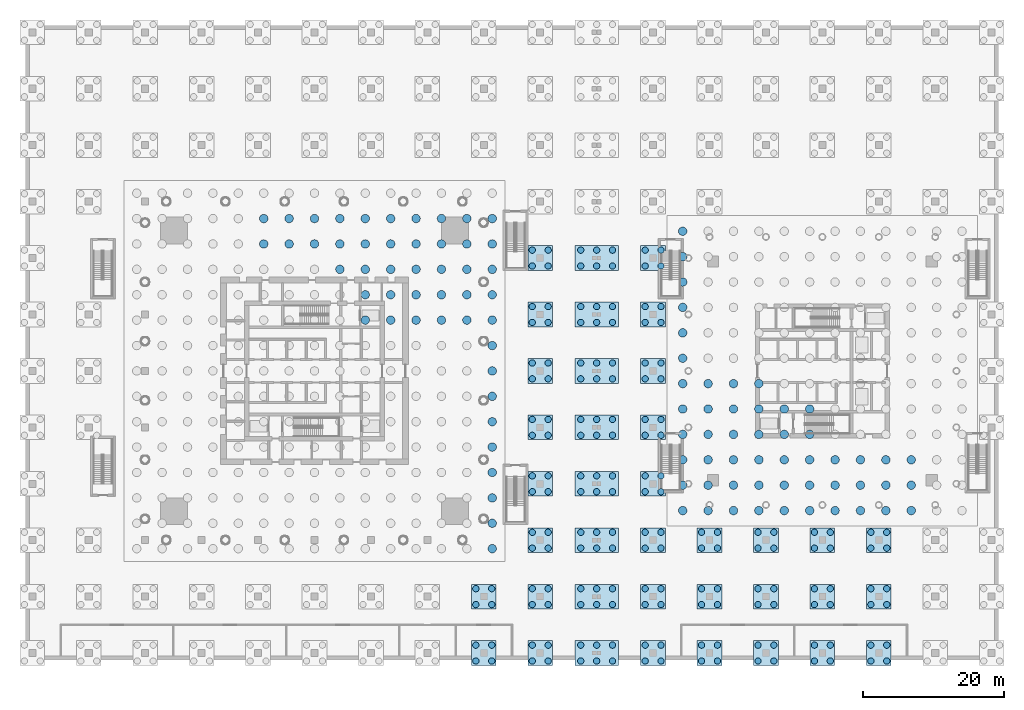
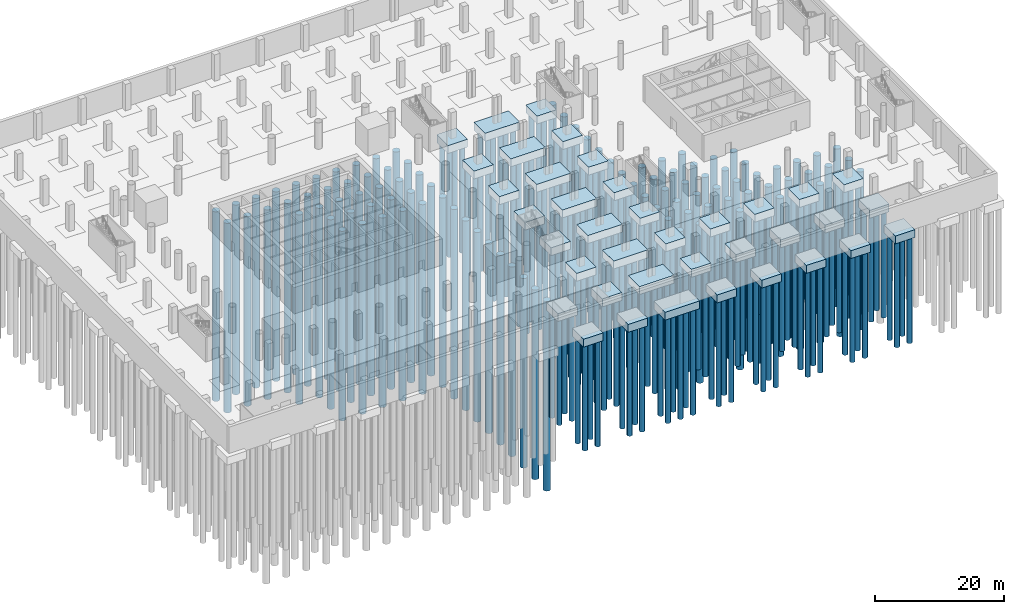
# One storey, part 2 of 24: 268 piles, 38 footings.
"""IFC4 building model written with IfcOpenShell, lengths in metres."""

from ifc_helpers import new_model, si_unit, direction, frame, origin, origin_2d, place, context, subcontext, project, spatial, rectangle, circle, extrude, material, layer, layer_set, type_object, element, save


model = new_model("IFC4")

# Units and contexts
model_context = context("Model", 3, precision=1e-05, world=origin(), true_north=direction((0.0, 1.0)))
body_context = subcontext(model_context, "Body", "Model", "MODEL_VIEW")
ifc_project = project(units=[si_unit("LENGTHUNIT", "METRE"), si_unit("AREAUNIT", "SQUARE_METRE"), si_unit("VOLUMEUNIT", "CUBIC_METRE"), si_unit("PLANEANGLEUNIT", "RADIAN"), si_unit("MASSUNIT", "GRAM", prefix="KILO")], contexts=[model_context])

# Site, building, storey
site_placement = place(None, origin())
site = spatial("IfcSite", under=ifc_project, at=site_placement, CompositionType="ELEMENT")
building_placement = place(site_placement, origin())
building = spatial("IfcBuilding", under=site, at=building_placement, Name="Ostroluk Exchange", CompositionType="ELEMENT")
storey_placement = place(building_placement, frame((0.0, 0.0, -10.0)))
storey = spatial("IfcBuildingStorey", under=building, at=storey_placement, Name="B2", CompositionType="ELEMENT", Elevation=-10.0)

# Piles
ifc_material_1 = material(Name="Concrete C30/37", Category="concrete")
pile_type_1 = type_object("IfcPileType", Name="Bored pile 1200 x 30 m", PredefinedType="BORED", material=ifc_material_1)
for number, where, z_axis, x_axis, name in (
    (1, (97.199951171875, 26.199951171875, -3.0), (0.0, 0.0, -1.0), (1.0, 0.0, 0.0), "Hotel tower raft pile 1.1"),
    (2, (97.199951171875, 29.800048828125, -3.0), (0.0, 0.0, -1.0), (1.0, 0.0, 0.0), "Hotel tower raft pile 1.2"),
    (3, (97.199951171875, 33.39990234375, -3.0), (0.0, 0.0, -1.0), (1.0, 0.0, 0.0), "Hotel tower raft pile 1.3"),
    (4, (97.199951171875, 37.0, -3.0), (0.0, 0.0, -1.0), (1.0, 0.0, 0.0), "Hotel tower raft pile 1.4"),
    (5, (97.199951171875, 40.60009765625, -3.0), (0.0, 0.0, -1.0), (1.0, 0.0, 0.0), "Hotel tower raft pile 1.5"),
    (6, (97.199951171875, 44.199951171875, -3.0), (0.0, 0.0, -1.0), (1.0, 0.0, 0.0), "Hotel tower raft pile 1.6"),
    (7, (97.199951171875, 47.800048828125, -3.0), (0.0, 0.0, -1.0), (1.0, 0.0, 0.0), "Hotel tower raft pile 1.7"),
    (8, (97.199951171875, 51.39990234375, -3.0), (0.0, 0.0, -1.0), (1.0, 0.0, 0.0), "Hotel tower raft pile 1.8"),
    (9, (97.199951171875, 55.0, -3.0), (0.0, 0.0, -1.0), (1.0, 0.0, 0.0), "Hotel tower raft pile 1.9"),
    (10, (97.199951171875, 58.60009765625, -3.0), (0.0, 0.0, -1.0), (1.0, 0.0, 0.0), "Hotel tower raft pile 1.10"),
    (11, (97.199951171875, 62.199951171875, -3.0), (0.0, 0.0, -1.0), (1.0, 0.0, 0.0), "Hotel tower raft pile 1.11"),
    (12, (97.199951171875, 65.800048828125, -3.0), (0.0, 0.0, -1.0), (1.0, 0.0, 0.0), "Hotel tower raft pile 1.12"),
    (13, (100.800048828125, 26.199951171875, -3.0), (0.0, 0.0, -1.0), (1.0, 0.0, 0.0), "Hotel tower raft pile 2.1"),
    (14, (100.800048828125, 29.800048828125, -3.0), (0.0, 0.0, -1.0), (1.0, 0.0, 0.0), "Hotel tower raft pile 2.2"),
    (15, (100.800048828125, 33.39990234375, -3.0), (0.0, 0.0, -1.0), (1.0, 0.0, 0.0), "Hotel tower raft pile 2.3"),
    (16, (100.800048828125, 37.0, -3.0), (0.0, 0.0, -1.0), (1.0, 0.0, 0.0), "Hotel tower raft pile 2.4"),
    (17, (100.800048828125, 40.60009765625, -3.0), (0.0, 0.0, -1.0), (1.0, 0.0, 0.0), "Hotel tower raft pile 2.5"),
    (18, (100.800048828125, 44.199951171875, -3.0), (0.0, 0.0, -1.0), (1.0, 0.0, 0.0), "Hotel tower raft pile 2.6"),
    (19, (104.39990234375, 26.199951171875, -3.0), (0.0, 0.0, -1.0), (1.0, 0.0, 0.0), "Hotel tower raft pile 3.1"),
    (20, (104.39990234375, 29.800048828125, -3.0), (0.0, 0.0, -1.0), (1.0, 0.0, 0.0), "Hotel tower raft pile 3.2"),
    (21, (104.39990234375, 33.39990234375, -3.0), (0.0, 0.0, -1.0), (1.0, 0.0, 0.0), "Hotel tower raft pile 3.3"),
    (22, (104.39990234375, 37.0, -3.0), (0.0, 0.0, -1.0), (1.0, 0.0, 0.0), "Hotel tower raft pile 3.4"),
    (23, (104.39990234375, 40.60009765625, -3.0), (0.0, 0.0, -1.0), (1.0, 0.0, 0.0), "Hotel tower raft pile 3.5"),
    (24, (104.39990234375, 44.199951171875, -3.0), (0.0, 0.0, -1.0), (1.0, 0.0, 0.0), "Hotel tower raft pile 3.6"),
    (25, (108.0, 26.199951171875, -3.0), (0.0, 0.0, -1.0), (1.0, 0.0, 0.0), "Hotel tower raft pile 4.1"),
    (26, (108.0, 29.800048828125, -3.0), (0.0, 0.0, -1.0), (1.0, 0.0, 0.0), "Hotel tower raft pile 4.2"),
    (27, (108.0, 33.39990234375, -3.0), (0.0, 0.0, -1.0), (1.0, 0.0, 0.0), "Hotel tower raft pile 4.3"),
    (28, (108.0, 37.0, -3.0), (0.0, 0.0, -1.0), (1.0, 0.0, 0.0), "Hotel tower raft pile 4.4"),
    (29, (108.0, 40.60009765625, -3.0), (0.0, 0.0, -1.0), (1.0, 0.0, 0.0), "Hotel tower raft pile 4.5"),
    (30, (108.0, 44.199951171875, -3.0), (0.0, 0.0, -1.0), (1.0, 0.0, 0.0), "Hotel tower raft pile 4.6"),
    (31, (111.60009765625, 26.199951171875, -3.0), (0.0, 0.0, -1.0), (1.0, 0.0, 0.0), "Hotel tower raft pile 5.1"),
    (32, (111.60009765625, 29.800048828125, -3.0), (0.0, 0.0, -1.0), (1.0, 0.0, 0.0), "Hotel tower raft pile 5.2"),
    (33, (111.60009765625, 33.39990234375, -3.0), (0.0, 0.0, -1.0), (1.0, 0.0, 0.0), "Hotel tower raft pile 5.3"),
    (34, (111.60009765625, 37.0, -3.0), (0.0, 0.0, -1.0), (1.0, 0.0, 0.0), "Hotel tower raft pile 5.4"),
    (35, (111.60009765625, 40.60009765625, -3.0), (0.0, 0.0, -1.0), (1.0, 0.0, 0.0), "Hotel tower raft pile 5.5"),
    (36, (115.199951171875, 26.199951171875, -3.0), (0.0, 0.0, -1.0), (1.0, 0.0, 0.0), "Hotel tower raft pile 6.1"),
    (37, (115.199951171875, 29.800048828125, -3.0), (0.0, 0.0, -1.0), (1.0, 0.0, 0.0), "Hotel tower raft pile 6.2"),
    (38, (115.199951171875, 33.39990234375, -3.0), (0.0, 0.0, -1.0), (1.0, 0.0, 0.0), "Hotel tower raft pile 6.3"),
    (39, (115.199951171875, 37.0, -3.0), (0.0, 0.0, -1.0), (1.0, 0.0, 0.0), "Hotel tower raft pile 6.4"),
    (40, (115.199951171875, 40.60009765625, -3.0), (0.0, 0.0, -1.0), (1.0, 0.0, 0.0), "Hotel tower raft pile 6.5"),
    (41, (118.800048828125, 26.199951171875, -3.0), (0.0, 0.0, -1.0), (1.0, 0.0, 0.0), "Hotel tower raft pile 7.1"),
    (42, (118.800048828125, 29.800048828125, -3.0), (0.0, 0.0, -1.0), (1.0, 0.0, 0.0), "Hotel tower raft pile 7.2"),
    (43, (118.800048828125, 33.39990234375, -3.0), (0.0, 0.0, -1.0), (1.0, 0.0, 0.0), "Hotel tower raft pile 7.3"),
    (44, (122.39990234375, 26.199951171875, -3.0), (0.0, 0.0, -1.0), (1.0, 0.0, 0.0), "Hotel tower raft pile 8.1"),
    (45, (122.39990234375, 29.800048828125, -3.0), (0.0, 0.0, -1.0), (1.0, 0.0, 0.0), "Hotel tower raft pile 8.2"),
    (46, (122.39990234375, 33.39990234375, -3.0), (0.0, 0.0, -1.0), (1.0, 0.0, 0.0), "Hotel tower raft pile 8.3"),
    (47, (126.0, 26.199951171875, -3.0), (0.0, 0.0, -1.0), (1.0, 0.0, 0.0), "Hotel tower raft pile 9.1"),
    (48, (126.0, 29.800048828125, -3.0), (0.0, 0.0, -1.0), (1.0, 0.0, 0.0), "Hotel tower raft pile 9.2"),
    (49, (126.0, 33.39990234375, -3.0), (0.0, 0.0, -1.0), (1.0, 0.0, 0.0), "Hotel tower raft pile 9.3"),
    (50, (129.60009765625, 26.199951171875, -3.0), (0.0, 0.0, -1.0), (1.0, 0.0, 0.0), "Hotel tower raft pile 10.1"),
    (51, (129.60009765625, 29.800048828125, -3.0), (0.0, 0.0, -1.0), (1.0, 0.0, 0.0), "Hotel tower raft pile 10.2"),
    (52, (129.60009765625, 33.39990234375, -3.0), (0.0, 0.0, -1.0), (1.0, 0.0, 0.0), "Hotel tower raft pile 10.3"),
):
    element("IfcPile", number, at=place(storey_placement, frame(where, z_axis=z_axis, x_axis=x_axis)), inside=storey, type_object=pile_type_1, Name=name, PredefinedType="BORED", context=body_context, shape_type="SweptSolid", body=[
        extrude(circle(Radius=0.60009765625, at=origin_2d()), origin(), (0.0, 0.0, 1.0), 30.0),
    ])
ifc_material_2 = material(Name="Concrete C30/37", Category="concrete")
pile_type_2 = type_object("IfcPileType", Name="Bored pile 1200 x 36 m", PredefinedType="BORED", material=ifc_material_2)
for number, where, z_axis, x_axis, name in (
    (53, (37.800048828125, 64.0, -3.5), (0.0, 0.0, -1.0), (1.0, 0.0, 0.0), "Office tower raft pile 6.13"),
    (54, (37.800048828125, 67.60009765625, -3.5), (0.0, 0.0, -1.0), (1.0, 0.0, 0.0), "Office tower raft pile 6.14"),
    (55, (41.39990234375, 64.0, -3.5), (0.0, 0.0, -1.0), (1.0, 0.0, 0.0), "Office tower raft pile 7.13"),
    (56, (41.39990234375, 67.60009765625, -3.5), (0.0, 0.0, -1.0), (1.0, 0.0, 0.0), "Office tower raft pile 7.14"),
    (57, (45.0, 64.0, -3.5), (0.0, 0.0, -1.0), (1.0, 0.0, 0.0), "Office tower raft pile 8.13"),
    (58, (45.0, 67.60009765625, -3.5), (0.0, 0.0, -1.0), (1.0, 0.0, 0.0), "Office tower raft pile 8.14"),
    (59, (48.60009765625, 60.39990234375, -3.5), (0.0, 0.0, -1.0), (1.0, 0.0, 0.0), "Office tower raft pile 9.12"),
    (60, (48.60009765625, 64.0, -3.5), (0.0, 0.0, -1.0), (1.0, 0.0, 0.0), "Office tower raft pile 9.13"),
    (61, (48.60009765625, 67.60009765625, -3.5), (0.0, 0.0, -1.0), (1.0, 0.0, 0.0), "Office tower raft pile 9.14"),
    (62, (52.199951171875, 53.199951171875, -3.5), (0.0, 0.0, -1.0), (1.0, 0.0, 0.0), "Office tower raft pile 10.10"),
    (63, (52.199951171875, 56.800048828125, -3.5), (0.0, 0.0, -1.0), (1.0, 0.0, 0.0), "Office tower raft pile 10.11"),
    (64, (52.199951171875, 60.39990234375, -3.5), (0.0, 0.0, -1.0), (1.0, 0.0, 0.0), "Office tower raft pile 10.12"),
    (65, (52.199951171875, 64.0, -3.5), (0.0, 0.0, -1.0), (1.0, 0.0, 0.0), "Office tower raft pile 10.13"),
    (66, (52.199951171875, 67.60009765625, -3.5), (0.0, 0.0, -1.0), (1.0, 0.0, 0.0), "Office tower raft pile 10.14"),
    (67, (55.800048828125, 53.199951171875, -3.5), (0.0, 0.0, -1.0), (1.0, 0.0, 0.0), "Office tower raft pile 11.10"),
    (68, (55.800048828125, 56.800048828125, -3.5), (0.0, 0.0, -1.0), (1.0, 0.0, 0.0), "Office tower raft pile 11.11"),
    (69, (55.800048828125, 60.39990234375, -3.5), (0.0, 0.0, -1.0), (1.0, 0.0, 0.0), "Office tower raft pile 11.12"),
    (70, (55.800048828125, 64.0, -3.5), (0.0, 0.0, -1.0), (1.0, 0.0, 0.0), "Office tower raft pile 11.13"),
    (71, (55.800048828125, 67.60009765625, -3.5), (0.0, 0.0, -1.0), (1.0, 0.0, 0.0), "Office tower raft pile 11.14"),
    (72, (59.39990234375, 53.199951171875, -3.5), (0.0, 0.0, -1.0), (1.0, 0.0, 0.0), "Office tower raft pile 12.10"),
    (73, (59.39990234375, 56.800048828125, -3.5), (0.0, 0.0, -1.0), (1.0, 0.0, 0.0), "Office tower raft pile 12.11"),
    (74, (59.39990234375, 60.39990234375, -3.5), (0.0, 0.0, -1.0), (1.0, 0.0, 0.0), "Office tower raft pile 12.12"),
    (75, (59.39990234375, 64.0, -3.5), (0.0, 0.0, -1.0), (1.0, 0.0, 0.0), "Office tower raft pile 12.13"),
    (76, (59.39990234375, 67.60009765625, -3.5), (0.0, 0.0, -1.0), (1.0, 0.0, 0.0), "Office tower raft pile 12.14"),
    (77, (63.0, 53.199951171875, -3.5), (0.0, 0.0, -1.0), (1.0, 0.0, 0.0), "Office tower raft pile 13.10"),
    (78, (63.0, 56.800048828125, -3.5), (0.0, 0.0, -1.0), (1.0, 0.0, 0.0), "Office tower raft pile 13.11"),
    (79, (63.0, 60.39990234375, -3.5), (0.0, 0.0, -1.0), (1.0, 0.0, 0.0), "Office tower raft pile 13.12"),
    (80, (63.0, 64.0, -3.5), (0.0, 0.0, -1.0), (1.0, 0.0, 0.0), "Office tower raft pile 13.13"),
    (81, (63.0, 67.60009765625, -3.5), (0.0, 0.0, -1.0), (1.0, 0.0, 0.0), "Office tower raft pile 13.14"),
    (82, (66.60009765625, 53.199951171875, -3.5), (0.0, 0.0, -1.0), (1.0, 0.0, 0.0), "Office tower raft pile 14.10"),
    (83, (66.60009765625, 56.800048828125, -3.5), (0.0, 0.0, -1.0), (1.0, 0.0, 0.0), "Office tower raft pile 14.11"),
    (84, (66.60009765625, 60.39990234375, -3.5), (0.0, 0.0, -1.0), (1.0, 0.0, 0.0), "Office tower raft pile 14.12"),
    (85, (66.60009765625, 64.0, -3.5), (0.0, 0.0, -1.0), (1.0, 0.0, 0.0), "Office tower raft pile 14.13"),
    (86, (66.60009765625, 67.60009765625, -3.5), (0.0, 0.0, -1.0), (1.0, 0.0, 0.0), "Office tower raft pile 14.14"),
    (87, (70.199951171875, 20.800048828125, -3.5), (0.0, 0.0, -1.0), (1.0, 0.0, 0.0), "Office tower raft pile 15.1"),
    (88, (70.199951171875, 24.39990234375, -3.5), (0.0, 0.0, -1.0), (1.0, 0.0, 0.0), "Office tower raft pile 15.2"),
    (89, (70.199951171875, 28.0, -3.5), (0.0, 0.0, -1.0), (1.0, 0.0, 0.0), "Office tower raft pile 15.3"),
    (90, (70.199951171875, 31.60009765625, -3.5), (0.0, 0.0, -1.0), (1.0, 0.0, 0.0), "Office tower raft pile 15.4"),
    (91, (70.199951171875, 35.199951171875, -3.5), (0.0, 0.0, -1.0), (1.0, 0.0, 0.0), "Office tower raft pile 15.5"),
    (92, (70.199951171875, 38.800048828125, -3.5), (0.0, 0.0, -1.0), (1.0, 0.0, 0.0), "Office tower raft pile 15.6"),
    (93, (70.199951171875, 42.39990234375, -3.5), (0.0, 0.0, -1.0), (1.0, 0.0, 0.0), "Office tower raft pile 15.7"),
    (94, (70.199951171875, 46.0, -3.5), (0.0, 0.0, -1.0), (1.0, 0.0, 0.0), "Office tower raft pile 15.8"),
    (95, (70.199951171875, 49.60009765625, -3.5), (0.0, 0.0, -1.0), (1.0, 0.0, 0.0), "Office tower raft pile 15.9"),
    (96, (70.199951171875, 53.199951171875, -3.5), (0.0, 0.0, -1.0), (1.0, 0.0, 0.0), "Office tower raft pile 15.10"),
    (97, (70.199951171875, 56.800048828125, -3.5), (0.0, 0.0, -1.0), (1.0, 0.0, 0.0), "Office tower raft pile 15.11"),
    (98, (70.199951171875, 60.39990234375, -3.5), (0.0, 0.0, -1.0), (1.0, 0.0, 0.0), "Office tower raft pile 15.12"),
    (99, (70.199951171875, 64.0, -3.5), (0.0, 0.0, -1.0), (1.0, 0.0, 0.0), "Office tower raft pile 15.13"),
    (100, (70.199951171875, 67.60009765625, -3.5), (0.0, 0.0, -1.0), (1.0, 0.0, 0.0), "Office tower raft pile 15.14"),
):
    element("IfcPile", number, at=place(storey_placement, frame(where, z_axis=z_axis, x_axis=x_axis)), inside=storey, type_object=pile_type_2, Name=name, PredefinedType="BORED", context=body_context, shape_type="SweptSolid", body=[
        extrude(circle(Radius=0.60009765625, at=origin_2d()), origin(), (0.0, 0.0, 1.0), 36.0),
    ])
ifc_material_3 = material(Name="Concrete C30/37", Category="concrete")
pile_type_3 = type_object("IfcPileType", Name="Bored pile 900 x 20 m", PredefinedType="BORED", material=ifc_material_3)
for number, where, z_axis, x_axis, name in (
    (101, (67.875, 4.875, -1.5), (0.0, 0.0, -1.0), (1.0, 0.0, 0.0), "Pile 69/6 1"),
    (102, (70.125, 4.875, -1.5), (0.0, 0.0, -1.0), (1.0, 0.0, 0.0), "Pile 69/6 2"),
    (103, (70.125, 7.125, -1.5), (0.0, 0.0, -1.0), (1.0, 0.0, 0.0), "Pile 69/6 3"),
    (104, (67.875, 7.125, -1.5), (0.0, 0.0, -1.0), (1.0, 0.0, 0.0), "Pile 69/6 4"),
    (105, (67.875, 12.875, -1.5), (0.0, 0.0, -1.0), (1.0, 0.0, 0.0), "Pile 69/14 1"),
    (106, (70.125, 12.875, -1.5), (0.0, 0.0, -1.0), (1.0, 0.0, 0.0), "Pile 69/14 2"),
    (107, (70.125, 15.125, -1.5), (0.0, 0.0, -1.0), (1.0, 0.0, 0.0), "Pile 69/14 3"),
    (108, (67.875, 15.125, -1.5), (0.0, 0.0, -1.0), (1.0, 0.0, 0.0), "Pile 69/14 4"),
    (109, (75.875, 4.875, -1.5), (0.0, 0.0, -1.0), (1.0, 0.0, 0.0), "Pile 77/6 1"),
    (110, (78.125, 4.875, -1.5), (0.0, 0.0, -1.0), (1.0, 0.0, 0.0), "Pile 77/6 2"),
    (111, (78.125, 7.125, -1.5), (0.0, 0.0, -1.0), (1.0, 0.0, 0.0), "Pile 77/6 3"),
    (112, (75.875, 7.125, -1.5), (0.0, 0.0, -1.0), (1.0, 0.0, 0.0), "Pile 77/6 4"),
    (113, (75.875, 12.875, -1.5), (0.0, 0.0, -1.0), (1.0, 0.0, 0.0), "Pile 77/14 1"),
    (114, (78.125, 12.875, -1.5), (0.0, 0.0, -1.0), (1.0, 0.0, 0.0), "Pile 77/14 2"),
    (115, (78.125, 15.125, -1.5), (0.0, 0.0, -1.0), (1.0, 0.0, 0.0), "Pile 77/14 3"),
    (116, (75.875, 15.125, -1.5), (0.0, 0.0, -1.0), (1.0, 0.0, 0.0), "Pile 77/14 4"),
    (117, (75.875, 20.875, -1.5), (0.0, 0.0, -1.0), (1.0, 0.0, 0.0), "Pile 77/22 1"),
    (118, (78.125, 20.875, -1.5), (0.0, 0.0, -1.0), (1.0, 0.0, 0.0), "Pile 77/22 2"),
    (119, (78.125, 23.125, -1.5), (0.0, 0.0, -1.0), (1.0, 0.0, 0.0), "Pile 77/22 3"),
    (120, (75.875, 23.125, -1.5), (0.0, 0.0, -1.0), (1.0, 0.0, 0.0), "Pile 77/22 4"),
    (121, (75.875, 28.875, -1.5), (0.0, 0.0, -1.0), (1.0, 0.0, 0.0), "Pile 77/30 1"),
    (122, (78.125, 28.875, -1.5), (0.0, 0.0, -1.0), (1.0, 0.0, 0.0), "Pile 77/30 2"),
    (123, (78.125, 31.125, -1.5), (0.0, 0.0, -1.0), (1.0, 0.0, 0.0), "Pile 77/30 3"),
    (124, (75.875, 31.125, -1.5), (0.0, 0.0, -1.0), (1.0, 0.0, 0.0), "Pile 77/30 4"),
    (125, (75.875, 36.875, -1.5), (0.0, 0.0, -1.0), (1.0, 0.0, 0.0), "Pile 77/38 1"),
    (126, (78.125, 36.875, -1.5), (0.0, 0.0, -1.0), (1.0, 0.0, 0.0), "Pile 77/38 2"),
    (127, (78.125, 39.125, -1.5), (0.0, 0.0, -1.0), (1.0, 0.0, 0.0), "Pile 77/38 3"),
    (128, (75.875, 39.125, -1.5), (0.0, 0.0, -1.0), (1.0, 0.0, 0.0), "Pile 77/38 4"),
    (129, (75.875, 44.875, -1.5), (0.0, 0.0, -1.0), (1.0, 0.0, 0.0), "Pile 77/46 1"),
    (130, (78.125, 44.875, -1.5), (0.0, 0.0, -1.0), (1.0, 0.0, 0.0), "Pile 77/46 2"),
    (131, (78.125, 47.125, -1.5), (0.0, 0.0, -1.0), (1.0, 0.0, 0.0), "Pile 77/46 3"),
    (132, (75.875, 47.125, -1.5), (0.0, 0.0, -1.0), (1.0, 0.0, 0.0), "Pile 77/46 4"),
    (133, (75.875, 52.875, -1.5), (0.0, 0.0, -1.0), (1.0, 0.0, 0.0), "Pile 77/54 1"),
    (134, (78.125, 52.875, -1.5), (0.0, 0.0, -1.0), (1.0, 0.0, 0.0), "Pile 77/54 2"),
    (135, (78.125, 55.125, -1.5), (0.0, 0.0, -1.0), (1.0, 0.0, 0.0), "Pile 77/54 3"),
    (136, (75.875, 55.125, -1.5), (0.0, 0.0, -1.0), (1.0, 0.0, 0.0), "Pile 77/54 4"),
    (137, (75.875, 60.875, -1.5), (0.0, 0.0, -1.0), (1.0, 0.0, 0.0), "Pile 77/62 1"),
    (138, (78.125, 60.875, -1.5), (0.0, 0.0, -1.0), (1.0, 0.0, 0.0), "Pile 77/62 2"),
    (139, (78.125, 63.125, -1.5), (0.0, 0.0, -1.0), (1.0, 0.0, 0.0), "Pile 77/62 3"),
    (140, (75.875, 63.125, -1.5), (0.0, 0.0, -1.0), (1.0, 0.0, 0.0), "Pile 77/62 4"),
    (141, (82.75, 4.875, -1.5), (0.0, 0.0, -1.0), (1.0, 0.0, 0.0), "Pile 85/6 1"),
    (142, (85.0, 4.875, -1.5), (0.0, 0.0, -1.0), (1.0, 0.0, 0.0), "Pile 85/6 2"),
    (143, (87.25, 4.875, -1.5), (0.0, 0.0, -1.0), (1.0, 0.0, 0.0), "Pile 85/6 3"),
    (144, (82.75, 7.125, -1.5), (0.0, 0.0, -1.0), (1.0, 0.0, 0.0), "Pile 85/6 4"),
    (145, (85.0, 7.125, -1.5), (0.0, 0.0, -1.0), (1.0, 0.0, 0.0), "Pile 85/6 5"),
    (146, (87.25, 7.125, -1.5), (0.0, 0.0, -1.0), (1.0, 0.0, 0.0), "Pile 85/6 6"),
    (147, (82.75, 12.875, -1.5), (0.0, 0.0, -1.0), (1.0, 0.0, 0.0), "Pile 85/14 1"),
    (148, (85.0, 12.875, -1.5), (0.0, 0.0, -1.0), (1.0, 0.0, 0.0), "Pile 85/14 2"),
    (149, (87.25, 12.875, -1.5), (0.0, 0.0, -1.0), (1.0, 0.0, 0.0), "Pile 85/14 3"),
    (150, (82.75, 15.125, -1.5), (0.0, 0.0, -1.0), (1.0, 0.0, 0.0), "Pile 85/14 4"),
    (151, (85.0, 15.125, -1.5), (0.0, 0.0, -1.0), (1.0, 0.0, 0.0), "Pile 85/14 5"),
    (152, (87.25, 15.125, -1.5), (0.0, 0.0, -1.0), (1.0, 0.0, 0.0), "Pile 85/14 6"),
    (153, (82.75, 20.875, -1.5), (0.0, 0.0, -1.0), (1.0, 0.0, 0.0), "Pile 85/22 1"),
    (154, (85.0, 20.875, -1.5), (0.0, 0.0, -1.0), (1.0, 0.0, 0.0), "Pile 85/22 2"),
    (155, (87.25, 20.875, -1.5), (0.0, 0.0, -1.0), (1.0, 0.0, 0.0), "Pile 85/22 3"),
    (156, (82.75, 23.125, -1.5), (0.0, 0.0, -1.0), (1.0, 0.0, 0.0), "Pile 85/22 4"),
    (157, (85.0, 23.125, -1.5), (0.0, 0.0, -1.0), (1.0, 0.0, 0.0), "Pile 85/22 5"),
    (158, (87.25, 23.125, -1.5), (0.0, 0.0, -1.0), (1.0, 0.0, 0.0), "Pile 85/22 6"),
    (159, (82.75, 28.875, -1.5), (0.0, 0.0, -1.0), (1.0, 0.0, 0.0), "Pile 85/30 1"),
    (160, (85.0, 28.875, -1.5), (0.0, 0.0, -1.0), (1.0, 0.0, 0.0), "Pile 85/30 2"),
    (161, (87.25, 28.875, -1.5), (0.0, 0.0, -1.0), (1.0, 0.0, 0.0), "Pile 85/30 3"),
    (162, (82.75, 31.125, -1.5), (0.0, 0.0, -1.0), (1.0, 0.0, 0.0), "Pile 85/30 4"),
    (163, (85.0, 31.125, -1.5), (0.0, 0.0, -1.0), (1.0, 0.0, 0.0), "Pile 85/30 5"),
    (164, (87.25, 31.125, -1.5), (0.0, 0.0, -1.0), (1.0, 0.0, 0.0), "Pile 85/30 6"),
    (165, (82.75, 36.875, -1.5), (0.0, 0.0, -1.0), (1.0, 0.0, 0.0), "Pile 85/38 1"),
    (166, (85.0, 36.875, -1.5), (0.0, 0.0, -1.0), (1.0, 0.0, 0.0), "Pile 85/38 2"),
    (167, (87.25, 36.875, -1.5), (0.0, 0.0, -1.0), (1.0, 0.0, 0.0), "Pile 85/38 3"),
    (168, (82.75, 39.125, -1.5), (0.0, 0.0, -1.0), (1.0, 0.0, 0.0), "Pile 85/38 4"),
    (169, (85.0, 39.125, -1.5), (0.0, 0.0, -1.0), (1.0, 0.0, 0.0), "Pile 85/38 5"),
    (170, (87.25, 39.125, -1.5), (0.0, 0.0, -1.0), (1.0, 0.0, 0.0), "Pile 85/38 6"),
    (171, (82.75, 44.875, -1.5), (0.0, 0.0, -1.0), (1.0, 0.0, 0.0), "Pile 85/46 1"),
    (172, (85.0, 44.875, -1.5), (0.0, 0.0, -1.0), (1.0, 0.0, 0.0), "Pile 85/46 2"),
    (173, (87.25, 44.875, -1.5), (0.0, 0.0, -1.0), (1.0, 0.0, 0.0), "Pile 85/46 3"),
    (174, (82.75, 47.125, -1.5), (0.0, 0.0, -1.0), (1.0, 0.0, 0.0), "Pile 85/46 4"),
    (175, (85.0, 47.125, -1.5), (0.0, 0.0, -1.0), (1.0, 0.0, 0.0), "Pile 85/46 5"),
    (176, (87.25, 47.125, -1.5), (0.0, 0.0, -1.0), (1.0, 0.0, 0.0), "Pile 85/46 6"),
    (177, (82.75, 52.875, -1.5), (0.0, 0.0, -1.0), (1.0, 0.0, 0.0), "Pile 85/54 1"),
    (178, (85.0, 52.875, -1.5), (0.0, 0.0, -1.0), (1.0, 0.0, 0.0), "Pile 85/54 2"),
    (179, (87.25, 52.875, -1.5), (0.0, 0.0, -1.0), (1.0, 0.0, 0.0), "Pile 85/54 3"),
    (180, (82.75, 55.125, -1.5), (0.0, 0.0, -1.0), (1.0, 0.0, 0.0), "Pile 85/54 4"),
    (181, (85.0, 55.125, -1.5), (0.0, 0.0, -1.0), (1.0, 0.0, 0.0), "Pile 85/54 5"),
    (182, (87.25, 55.125, -1.5), (0.0, 0.0, -1.0), (1.0, 0.0, 0.0), "Pile 85/54 6"),
    (183, (82.75, 60.875, -1.5), (0.0, 0.0, -1.0), (1.0, 0.0, 0.0), "Pile 85/62 1"),
    (184, (85.0, 60.875, -1.5), (0.0, 0.0, -1.0), (1.0, 0.0, 0.0), "Pile 85/62 2"),
    (185, (87.25, 60.875, -1.5), (0.0, 0.0, -1.0), (1.0, 0.0, 0.0), "Pile 85/62 3"),
    (186, (82.75, 63.125, -1.5), (0.0, 0.0, -1.0), (1.0, 0.0, 0.0), "Pile 85/62 4"),
    (187, (85.0, 63.125, -1.5), (0.0, 0.0, -1.0), (1.0, 0.0, 0.0), "Pile 85/62 5"),
    (188, (87.25, 63.125, -1.5), (0.0, 0.0, -1.0), (1.0, 0.0, 0.0), "Pile 85/62 6"),
    (189, (91.875, 4.875, -1.5), (0.0, 0.0, -1.0), (1.0, 0.0, 0.0), "Pile 93/6 1"),
    (190, (94.125, 4.875, -1.5), (0.0, 0.0, -1.0), (1.0, 0.0, 0.0), "Pile 93/6 2"),
    (191, (94.125, 7.125, -1.5), (0.0, 0.0, -1.0), (1.0, 0.0, 0.0), "Pile 93/6 3"),
    (192, (91.875, 7.125, -1.5), (0.0, 0.0, -1.0), (1.0, 0.0, 0.0), "Pile 93/6 4"),
    (193, (91.875, 12.875, -1.5), (0.0, 0.0, -1.0), (1.0, 0.0, 0.0), "Pile 93/14 1"),
    (194, (94.125, 12.875, -1.5), (0.0, 0.0, -1.0), (1.0, 0.0, 0.0), "Pile 93/14 2"),
    (195, (94.125, 15.125, -1.5), (0.0, 0.0, -1.0), (1.0, 0.0, 0.0), "Pile 93/14 3"),
    (196, (91.875, 15.125, -1.5), (0.0, 0.0, -1.0), (1.0, 0.0, 0.0), "Pile 93/14 4"),
    (197, (91.875, 20.875, -1.5), (0.0, 0.0, -1.0), (1.0, 0.0, 0.0), "Pile 93/22 1"),
    (198, (94.125, 20.875, -1.5), (0.0, 0.0, -1.0), (1.0, 0.0, 0.0), "Pile 93/22 2"),
    (199, (94.125, 23.125, -1.5), (0.0, 0.0, -1.0), (1.0, 0.0, 0.0), "Pile 93/22 3"),
    (200, (91.875, 23.125, -1.5), (0.0, 0.0, -1.0), (1.0, 0.0, 0.0), "Pile 93/22 4"),
    (201, (91.875, 28.875, -1.5), (0.0, 0.0, -1.0), (1.0, 0.0, 0.0), "Pile 93/30 1"),
    (202, (94.125, 28.875, -1.5), (0.0, 0.0, -1.0), (1.0, 0.0, 0.0), "Pile 93/30 2"),
    (203, (94.125, 31.125, -1.5), (0.0, 0.0, -1.0), (1.0, 0.0, 0.0), "Pile 93/30 3"),
    (204, (91.875, 31.125, -1.5), (0.0, 0.0, -1.0), (1.0, 0.0, 0.0), "Pile 93/30 4"),
    (205, (91.875, 36.875, -1.5), (0.0, 0.0, -1.0), (1.0, 0.0, 0.0), "Pile 93/38 1"),
    (206, (94.125, 36.875, -1.5), (0.0, 0.0, -1.0), (1.0, 0.0, 0.0), "Pile 93/38 2"),
    (207, (94.125, 39.125, -1.5), (0.0, 0.0, -1.0), (1.0, 0.0, 0.0), "Pile 93/38 3"),
    (208, (91.875, 39.125, -1.5), (0.0, 0.0, -1.0), (1.0, 0.0, 0.0), "Pile 93/38 4"),
    (209, (91.875, 44.875, -1.5), (0.0, 0.0, -1.0), (1.0, 0.0, 0.0), "Pile 93/46 1"),
    (210, (94.125, 44.875, -1.5), (0.0, 0.0, -1.0), (1.0, 0.0, 0.0), "Pile 93/46 2"),
    (211, (94.125, 47.125, -1.5), (0.0, 0.0, -1.0), (1.0, 0.0, 0.0), "Pile 93/46 3"),
    (212, (91.875, 47.125, -1.5), (0.0, 0.0, -1.0), (1.0, 0.0, 0.0), "Pile 93/46 4"),
    (213, (91.875, 52.875, -1.5), (0.0, 0.0, -1.0), (1.0, 0.0, 0.0), "Pile 93/54 1"),
    (214, (94.125, 52.875, -1.5), (0.0, 0.0, -1.0), (1.0, 0.0, 0.0), "Pile 93/54 2"),
    (215, (94.125, 55.125, -1.5), (0.0, 0.0, -1.0), (1.0, 0.0, 0.0), "Pile 93/54 3"),
    (216, (91.875, 55.125, -1.5), (0.0, 0.0, -1.0), (1.0, 0.0, 0.0), "Pile 93/54 4"),
    (217, (91.875, 60.875, -1.5), (0.0, 0.0, -1.0), (1.0, 0.0, 0.0), "Pile 93/62 1"),
    (218, (94.125, 60.875, -1.5), (0.0, 0.0, -1.0), (1.0, 0.0, 0.0), "Pile 93/62 2"),
    (219, (94.125, 63.125, -1.5), (0.0, 0.0, -1.0), (1.0, 0.0, 0.0), "Pile 93/62 3"),
    (220, (91.875, 63.125, -1.5), (0.0, 0.0, -1.0), (1.0, 0.0, 0.0), "Pile 93/62 4"),
    (221, (99.875, 4.875, -1.5), (0.0, 0.0, -1.0), (1.0, 0.0, 0.0), "Pile 101/6 1"),
    (222, (102.125, 4.875, -1.5), (0.0, 0.0, -1.0), (1.0, 0.0, 0.0), "Pile 101/6 2"),
    (223, (102.125, 7.125, -1.5), (0.0, 0.0, -1.0), (1.0, 0.0, 0.0), "Pile 101/6 3"),
    (224, (99.875, 7.125, -1.5), (0.0, 0.0, -1.0), (1.0, 0.0, 0.0), "Pile 101/6 4"),
    (225, (99.875, 12.875, -1.5), (0.0, 0.0, -1.0), (1.0, 0.0, 0.0), "Pile 101/14 1"),
    (226, (102.125, 12.875, -1.5), (0.0, 0.0, -1.0), (1.0, 0.0, 0.0), "Pile 101/14 2"),
    (227, (102.125, 15.125, -1.5), (0.0, 0.0, -1.0), (1.0, 0.0, 0.0), "Pile 101/14 3"),
    (228, (99.875, 15.125, -1.5), (0.0, 0.0, -1.0), (1.0, 0.0, 0.0), "Pile 101/14 4"),
    (229, (99.875, 20.875, -1.5), (0.0, 0.0, -1.0), (1.0, 0.0, 0.0), "Pile 101/22 1"),
    (230, (102.125, 20.875, -1.5), (0.0, 0.0, -1.0), (1.0, 0.0, 0.0), "Pile 101/22 2"),
    (231, (102.125, 23.125, -1.5), (0.0, 0.0, -1.0), (1.0, 0.0, 0.0), "Pile 101/22 3"),
    (232, (99.875, 23.125, -1.5), (0.0, 0.0, -1.0), (1.0, 0.0, 0.0), "Pile 101/22 4"),
    (233, (107.875, 4.875, -1.5), (0.0, 0.0, -1.0), (1.0, 0.0, 0.0), "Pile 109/6 1"),
    (234, (110.125, 4.875, -1.5), (0.0, 0.0, -1.0), (1.0, 0.0, 0.0), "Pile 109/6 2"),
    (235, (110.125, 7.125, -1.5), (0.0, 0.0, -1.0), (1.0, 0.0, 0.0), "Pile 109/6 3"),
    (236, (107.875, 7.125, -1.5), (0.0, 0.0, -1.0), (1.0, 0.0, 0.0), "Pile 109/6 4"),
    (237, (107.875, 12.875, -1.5), (0.0, 0.0, -1.0), (1.0, 0.0, 0.0), "Pile 109/14 1"),
    (238, (110.125, 12.875, -1.5), (0.0, 0.0, -1.0), (1.0, 0.0, 0.0), "Pile 109/14 2"),
    (239, (110.125, 15.125, -1.5), (0.0, 0.0, -1.0), (1.0, 0.0, 0.0), "Pile 109/14 3"),
    (240, (107.875, 15.125, -1.5), (0.0, 0.0, -1.0), (1.0, 0.0, 0.0), "Pile 109/14 4"),
    (241, (107.875, 20.875, -1.5), (0.0, 0.0, -1.0), (1.0, 0.0, 0.0), "Pile 109/22 1"),
    (242, (110.125, 20.875, -1.5), (0.0, 0.0, -1.0), (1.0, 0.0, 0.0), "Pile 109/22 2"),
    (243, (110.125, 23.125, -1.5), (0.0, 0.0, -1.0), (1.0, 0.0, 0.0), "Pile 109/22 3"),
    (244, (107.875, 23.125, -1.5), (0.0, 0.0, -1.0), (1.0, 0.0, 0.0), "Pile 109/22 4"),
    (245, (115.875, 4.875, -1.5), (0.0, 0.0, -1.0), (1.0, 0.0, 0.0), "Pile 117/6 1"),
    (246, (118.125, 4.875, -1.5), (0.0, 0.0, -1.0), (1.0, 0.0, 0.0), "Pile 117/6 2"),
    (247, (118.125, 7.125, -1.5), (0.0, 0.0, -1.0), (1.0, 0.0, 0.0), "Pile 117/6 3"),
    (248, (115.875, 7.125, -1.5), (0.0, 0.0, -1.0), (1.0, 0.0, 0.0), "Pile 117/6 4"),
    (249, (115.875, 12.875, -1.5), (0.0, 0.0, -1.0), (1.0, 0.0, 0.0), "Pile 117/14 1"),
    (250, (118.125, 12.875, -1.5), (0.0, 0.0, -1.0), (1.0, 0.0, 0.0), "Pile 117/14 2"),
    (251, (118.125, 15.125, -1.5), (0.0, 0.0, -1.0), (1.0, 0.0, 0.0), "Pile 117/14 3"),
    (252, (115.875, 15.125, -1.5), (0.0, 0.0, -1.0), (1.0, 0.0, 0.0), "Pile 117/14 4"),
    (253, (115.875, 20.875, -1.5), (0.0, 0.0, -1.0), (1.0, 0.0, 0.0), "Pile 117/22 1"),
    (254, (118.125, 20.875, -1.5), (0.0, 0.0, -1.0), (1.0, 0.0, 0.0), "Pile 117/22 2"),
    (255, (118.125, 23.125, -1.5), (0.0, 0.0, -1.0), (1.0, 0.0, 0.0), "Pile 117/22 3"),
    (256, (115.875, 23.125, -1.5), (0.0, 0.0, -1.0), (1.0, 0.0, 0.0), "Pile 117/22 4"),
    (257, (123.875, 4.875, -1.5), (0.0, 0.0, -1.0), (1.0, 0.0, 0.0), "Pile 125/6 1"),
    (258, (126.125, 4.875, -1.5), (0.0, 0.0, -1.0), (1.0, 0.0, 0.0), "Pile 125/6 2"),
    (259, (126.125, 7.125, -1.5), (0.0, 0.0, -1.0), (1.0, 0.0, 0.0), "Pile 125/6 3"),
    (260, (123.875, 7.125, -1.5), (0.0, 0.0, -1.0), (1.0, 0.0, 0.0), "Pile 125/6 4"),
    (261, (123.875, 12.875, -1.5), (0.0, 0.0, -1.0), (1.0, 0.0, 0.0), "Pile 125/14 1"),
    (262, (126.125, 12.875, -1.5), (0.0, 0.0, -1.0), (1.0, 0.0, 0.0), "Pile 125/14 2"),
    (263, (126.125, 15.125, -1.5), (0.0, 0.0, -1.0), (1.0, 0.0, 0.0), "Pile 125/14 3"),
    (264, (123.875, 15.125, -1.5), (0.0, 0.0, -1.0), (1.0, 0.0, 0.0), "Pile 125/14 4"),
    (265, (123.875, 20.875, -1.5), (0.0, 0.0, -1.0), (1.0, 0.0, 0.0), "Pile 125/22 1"),
    (266, (126.125, 20.875, -1.5), (0.0, 0.0, -1.0), (1.0, 0.0, 0.0), "Pile 125/22 2"),
    (267, (126.125, 23.125, -1.5), (0.0, 0.0, -1.0), (1.0, 0.0, 0.0), "Pile 125/22 3"),
    (268, (123.875, 23.125, -1.5), (0.0, 0.0, -1.0), (1.0, 0.0, 0.0), "Pile 125/22 4"),
):
    element("IfcPile", number, at=place(storey_placement, frame(where, z_axis=z_axis, x_axis=x_axis)), inside=storey, type_object=pile_type_3, Name=name, PredefinedType="BORED", context=body_context, shape_type="SweptSolid", body=[
        extrude(circle(Radius=0.449951171875, at=origin_2d()), origin(), (0.0, 0.0, 1.0), 20.0),
    ])

# Footings
ifc_material_4 = material(Name="Concrete C40/50", Category="concrete")
ifc_layer_1 = layer(ifc_material_4, 1.5)
ifc_layer_set_1 = layer_set([ifc_layer_1], Name="Pile cap 3500 x 3500 x 1500")
footing_type_1 = type_object("IfcFootingType", Name="Pile cap 3500 x 3500 x 1500", PredefinedType="PILE_CAP", material=ifc_layer_set_1)
for number, where, z_axis, x_axis, name in (
    (269, (69.0, 6.0, -1.5), (0.0, 0.0, 1.0), (1.0, 0.0, 0.0), "Pile cap 69/6"),
    (270, (69.0, 14.0, -1.5), (0.0, 0.0, 1.0), (1.0, 0.0, 0.0), "Pile cap 69/14"),
    (271, (77.0, 6.0, -1.5), (0.0, 0.0, 1.0), (1.0, 0.0, 0.0), "Pile cap 77/6"),
    (272, (77.0, 14.0, -1.5), (0.0, 0.0, 1.0), (1.0, 0.0, 0.0), "Pile cap 77/14"),
    (273, (77.0, 22.0, -1.5), (0.0, 0.0, 1.0), (1.0, 0.0, 0.0), "Pile cap 77/22"),
    (274, (77.0, 30.0, -1.5), (0.0, 0.0, 1.0), (1.0, 0.0, 0.0), "Pile cap 77/30"),
    (275, (77.0, 38.0, -1.5), (0.0, 0.0, 1.0), (1.0, 0.0, 0.0), "Pile cap 77/38"),
    (276, (77.0, 46.0, -1.5), (0.0, 0.0, 1.0), (1.0, 0.0, 0.0), "Pile cap 77/46"),
    (277, (77.0, 54.0, -1.5), (0.0, 0.0, 1.0), (1.0, 0.0, 0.0), "Pile cap 77/54"),
    (278, (77.0, 62.0, -1.5), (0.0, 0.0, 1.0), (1.0, 0.0, 0.0), "Pile cap 77/62"),
    (279, (93.0, 6.0, -1.5), (0.0, 0.0, 1.0), (1.0, 0.0, 0.0), "Pile cap 93/6"),
    (280, (93.0, 14.0, -1.5), (0.0, 0.0, 1.0), (1.0, 0.0, 0.0), "Pile cap 93/14"),
    (281, (93.0, 22.0, -1.5), (0.0, 0.0, 1.0), (1.0, 0.0, 0.0), "Pile cap 93/22"),
    (282, (93.0, 30.0, -1.5), (0.0, 0.0, 1.0), (1.0, 0.0, 0.0), "Pile cap 93/30"),
    (283, (93.0, 38.0, -1.5), (0.0, 0.0, 1.0), (1.0, 0.0, 0.0), "Pile cap 93/38"),
    (284, (93.0, 46.0, -1.5), (0.0, 0.0, 1.0), (1.0, 0.0, 0.0), "Pile cap 93/46"),
    (285, (93.0, 54.0, -1.5), (0.0, 0.0, 1.0), (1.0, 0.0, 0.0), "Pile cap 93/54"),
    (286, (93.0, 62.0, -1.5), (0.0, 0.0, 1.0), (1.0, 0.0, 0.0), "Pile cap 93/62"),
    (287, (101.0, 6.0, -1.5), (0.0, 0.0, 1.0), (1.0, 0.0, 0.0), "Pile cap 101/6"),
    (288, (101.0, 14.0, -1.5), (0.0, 0.0, 1.0), (1.0, 0.0, 0.0), "Pile cap 101/14"),
    (289, (101.0, 22.0, -1.5), (0.0, 0.0, 1.0), (1.0, 0.0, 0.0), "Pile cap 101/22"),
    (290, (109.0, 6.0, -1.5), (0.0, 0.0, 1.0), (1.0, 0.0, 0.0), "Pile cap 109/6"),
    (291, (109.0, 14.0, -1.5), (0.0, 0.0, 1.0), (1.0, 0.0, 0.0), "Pile cap 109/14"),
    (292, (109.0, 22.0, -1.5), (0.0, 0.0, 1.0), (1.0, 0.0, 0.0), "Pile cap 109/22"),
    (293, (117.0, 6.0, -1.5), (0.0, 0.0, 1.0), (1.0, 0.0, 0.0), "Pile cap 117/6"),
    (294, (117.0, 14.0, -1.5), (0.0, 0.0, 1.0), (1.0, 0.0, 0.0), "Pile cap 117/14"),
    (295, (117.0, 22.0, -1.5), (0.0, 0.0, 1.0), (1.0, 0.0, 0.0), "Pile cap 117/22"),
    (296, (125.0, 6.0, -1.5), (0.0, 0.0, 1.0), (1.0, 0.0, 0.0), "Pile cap 125/6"),
    (297, (125.0, 14.0, -1.5), (0.0, 0.0, 1.0), (1.0, 0.0, 0.0), "Pile cap 125/14"),
    (298, (125.0, 22.0, -1.5), (0.0, 0.0, 1.0), (1.0, 0.0, 0.0), "Pile cap 125/22"),
):
    element("IfcFooting", number, at=place(storey_placement, frame(where, z_axis=z_axis, x_axis=x_axis)), inside=storey, type_object=footing_type_1, Name=name, PredefinedType="PILE_CAP", context=body_context, shape_type="SweptSolid", body=[
        extrude(rectangle(XDim=3.5, YDim=3.5, at=origin_2d()), origin(), (0.0, 0.0, 1.0), 1.5),
    ])
ifc_material_5 = material(Name="Concrete C40/50", Category="concrete")
ifc_layer_2 = layer(ifc_material_5, 1.5)
ifc_layer_set_2 = layer_set([ifc_layer_2], Name="Pile cap 6200 x 3500 x 1500")
footing_type_2 = type_object("IfcFootingType", Name="Pile cap 6200 x 3500 x 1500", PredefinedType="PILE_CAP", material=ifc_layer_set_2)
for number, where, z_axis, x_axis, name in (
    (299, (85.0, 6.0, -1.5), (0.0, 0.0, 1.0), (1.0, 0.0, 0.0), "Pile cap 85/6 (movement joint)"),
    (300, (85.0, 14.0, -1.5), (0.0, 0.0, 1.0), (1.0, 0.0, 0.0), "Pile cap 85/14 (movement joint)"),
    (301, (85.0, 22.0, -1.5), (0.0, 0.0, 1.0), (1.0, 0.0, 0.0), "Pile cap 85/22 (movement joint)"),
    (302, (85.0, 30.0, -1.5), (0.0, 0.0, 1.0), (1.0, 0.0, 0.0), "Pile cap 85/30 (movement joint)"),
    (303, (85.0, 38.0, -1.5), (0.0, 0.0, 1.0), (1.0, 0.0, 0.0), "Pile cap 85/38 (movement joint)"),
    (304, (85.0, 46.0, -1.5), (0.0, 0.0, 1.0), (1.0, 0.0, 0.0), "Pile cap 85/46 (movement joint)"),
    (305, (85.0, 54.0, -1.5), (0.0, 0.0, 1.0), (1.0, 0.0, 0.0), "Pile cap 85/54 (movement joint)"),
    (306, (85.0, 62.0, -1.5), (0.0, 0.0, 1.0), (1.0, 0.0, 0.0), "Pile cap 85/62 (movement joint)"),
):
    element("IfcFooting", number, at=place(storey_placement, frame(where, z_axis=z_axis, x_axis=x_axis)), inside=storey, type_object=footing_type_2, Name=name, PredefinedType="PILE_CAP", context=body_context, shape_type="SweptSolid", body=[
        extrude(rectangle(XDim=6.199951171875, YDim=3.5, at=origin_2d()), origin(), (0.0, 0.0, 1.0), 1.5),
    ])

save(model, "model.ifc")
